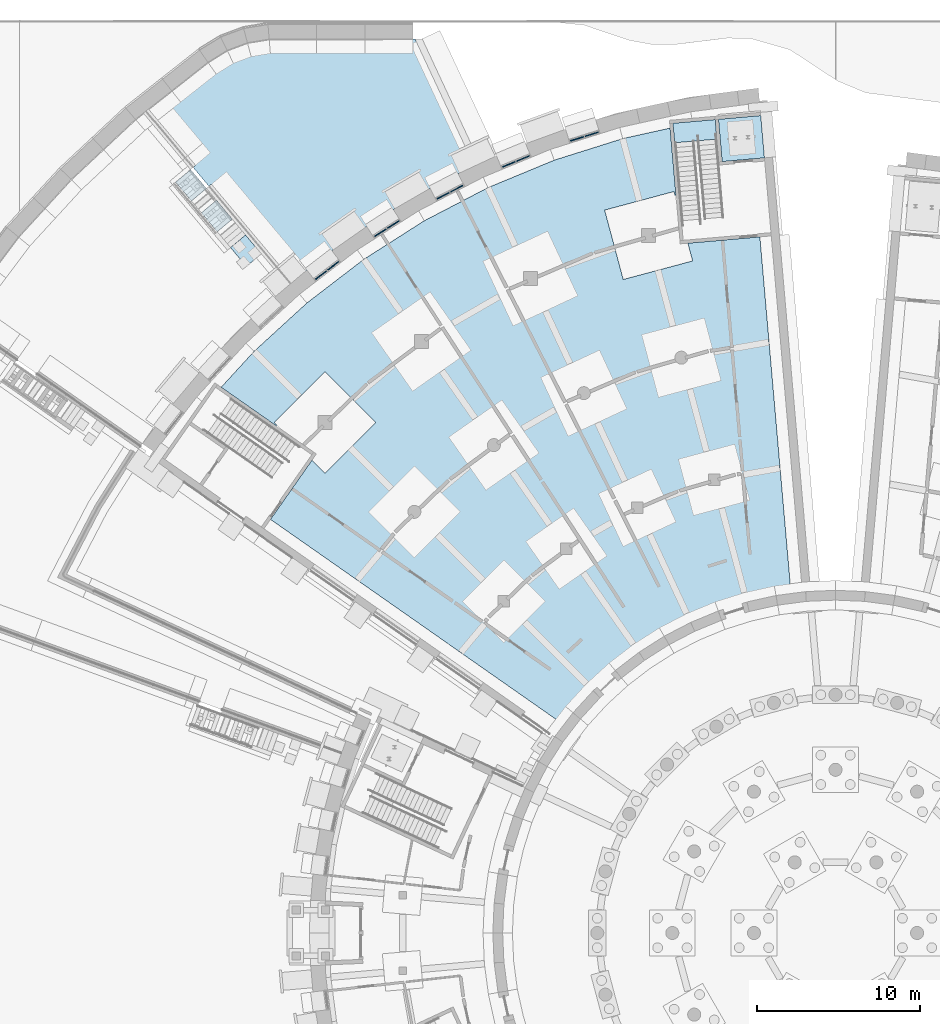
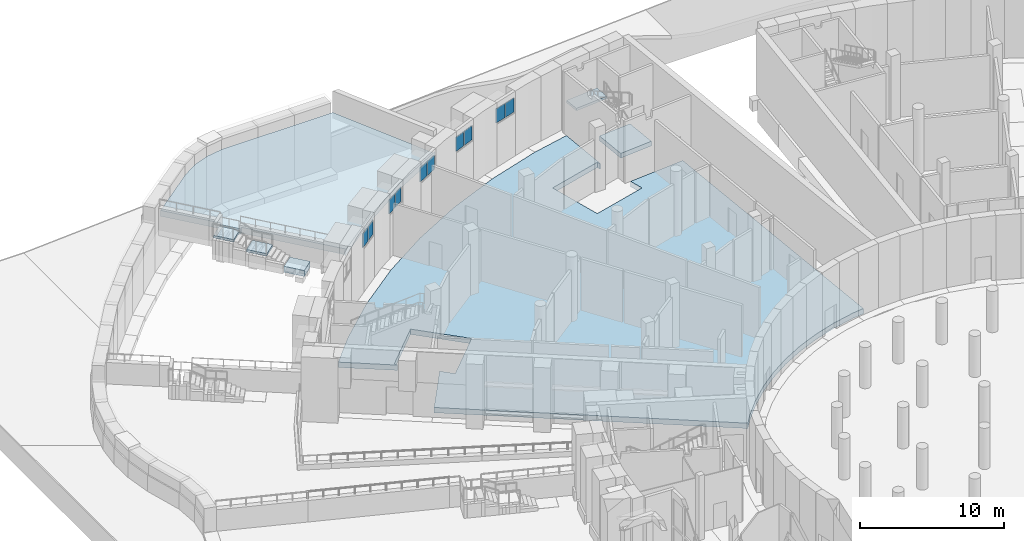
# One storey, part 34 of 65: 10 plates, 7 slabs, 7 elements without a shape of their own.
"""IFC4 building model written with IfcOpenShell, lengths in metres."""

from ifc_helpers import new_model, si_unit, direction, frame, origin, origin_2d, place, context, subcontext, project, spatial, polyline, rectangle, outline, extrude, material, layer, layer_set, type_object, element, aggregate, save


model = new_model("IFC4")

# Units and contexts
model_context = context("Model", 3, precision=1e-05, world=origin(), true_north=direction((0.0, 1.0)))
body_context = subcontext(model_context, "Body", "Model", "MODEL_VIEW")
ifc_project = project(units=[si_unit("LENGTHUNIT", "METRE"), si_unit("AREAUNIT", "SQUARE_METRE"), si_unit("VOLUMEUNIT", "CUBIC_METRE"), si_unit("PLANEANGLEUNIT", "RADIAN"), si_unit("MASSUNIT", "GRAM", prefix="KILO")], contexts=[model_context])

# Site, building, storey
site_placement = place(None, origin())
site = spatial("IfcSite", under=ifc_project, at=site_placement, CompositionType="ELEMENT")
building_placement = place(site_placement, origin())
building = spatial("IfcBuilding", under=site, at=building_placement, Name="Volute Hill Aquarium", CompositionType="ELEMENT")
storey_placement = place(building_placement, frame((0.0, 0.0, -5.5)))
storey = spatial("IfcBuildingStorey", under=building, at=storey_placement, Name="L00", CompositionType="ELEMENT", Elevation=-5.5)

# Slab
ifc_material_1 = material(Name="Concrete C30/37", Category="concrete")
ifc_layer_1 = layer(ifc_material_1, 0.449951171875)
ifc_layer_set_1 = layer_set([ifc_layer_1], Name="Base slab 450 C30/37")
slab_type_1 = type_object("IfcSlabType", Name="Base slab 450 C30/37", PredefinedType="BASESLAB", material=ifc_layer_set_1)
slab_1_placement = place(storey_placement, frame((0.0, 0.0, -0.449951171875)))
element("IfcSlab", 1, at=slab_1_placement, inside=storey, type_object=slab_type_1, Name="bs/S6/L00/1", PredefinedType="BASESLAB", context=body_context, shape_type="SweptSolid", body=[
    extrude(outline(polyline([(-34.225830078125, 31.114501953125), (-34.26220703125, 31.0712890625), (-37.649658203125, 33.443115234375), (-35.63818359375, 35.63818359375), (-32.396484375, 38.608642578125), (-28.908203125, 41.285400390625), (-25.199951171875, 43.647705078125), (-21.300048828125, 45.677978515625), (-17.23779296875, 47.360595703125), (-13.04443359375, 48.6826171875), (-10.1376953125, 49.3271484375), (-9.77734375, 45.2080078125), (-9.8330078125, 45.197998046875), (-9.897216796875, 45.4365234375), (-14.147216796875, 44.2978515625), (-13.00830078125, 40.0478515625), (-8.75830078125, 41.1865234375), (-9.049072265625, 42.272216796875), (-4.635498046875, 42.658203125), (-2.723388671875, 20.802490234375), (-3.646484375, 20.680908203125), (-5.435302734375, 20.284423828125), (-7.182373046875, 19.7333984375), (-8.875, 19.032470703125), (-10.5, 18.1865234375), (-12.045166015625, 17.2021484375), (-13.49853515625, 16.0869140625), (-14.84912109375, 14.84912109375), (-16.0869140625, 13.49853515625), (-16.65380859375, 12.759765625), (-34.62548828125, 25.34375), (-32.084228515625, 28.972900390625), (-31.28955078125, 28.17822265625), (-28.17822265625, 31.28955078125), (-31.28955078125, 34.40087890625), (-34.40087890625, 31.28955078125), (-34.225830078125, 31.114501953125)])), origin(), (0.0, 0.0, 1.0), 0.449951171875),
])

# Curtain wall, plates
ifc_material_2 = material(Name="Aluminium", Category="aluminium")
ifc_layer_2 = layer(ifc_material_2, 0.25)
ifc_layer_set_2 = layer_set([ifc_layer_2], Name="Curtain wall niche S6 module 967")
curtain_wall_type = type_object("IfcCurtainWallType", Name="Curtain wall niche S6 module 967", PredefinedType="NOTDEFINED", material=ifc_layer_set_2)
curtain_wall_1_placement = place(storey_placement, origin())
curtain_wall_1 = element("IfcCurtainWall", 2, at=curtain_wall_1_placement, inside=storey, type_object=curtain_wall_type, Name="Curtain wall CW S6 L00 3", PredefinedType="NOTDEFINED")
ifc_material_3 = material(Name="Aluminium", Category="aluminium")
ifc_layer_3 = layer(ifc_material_3, 0.06005859375)
ifc_layer_set_3 = layer_set([ifc_layer_3], Name="Curtain wall insulated spandrel panel 60")
plate_type = type_object("IfcPlateType", Name="Curtain wall insulated spandrel panel 60", PredefinedType="CURTAIN_PANEL", material=ifc_layer_set_3)
plate_1_placement = place(storey_placement, frame((-14.939697265625, 48.948974609375, 3.7001953125), z_axis=(0.0, 0.0, 1.0), x_axis=(-0.953716759337, -0.300706406582, 0.0)))
plate_1 = element("IfcPlate", 3, at=plate_1_placement, type_object=plate_type, Name="CW panel 1.1", PredefinedType="CURTAIN_PANEL", context=body_context, shape_type="SweptSolid", body=[
    extrude(rectangle(XDim=0.891845703125, YDim=0.06005859375, at=origin_2d()), origin(), (0.0, 0.0, 1.0), 1.199951171875),
])
plate_2_placement = place(storey_placement, frame((-15.838134765625, 48.665771484375, 3.7001953125), z_axis=(0.0, 0.0, 1.0), x_axis=(-0.953716759337, -0.300706406582, 0.0)))
plate_2 = element("IfcPlate", 4, at=plate_2_placement, type_object=plate_type, Name="CW panel 2.1", PredefinedType="CURTAIN_PANEL", context=body_context, shape_type="SweptSolid", body=[
    extrude(rectangle(XDim=0.891845703125, YDim=0.06005859375, at=origin_2d()), origin(), (0.0, 0.0, 1.0), 1.199951171875),
])
aggregate(curtain_wall_1, [plate_1, plate_2])

curtain_wall_2_placement = place(storey_placement, origin())
curtain_wall_2 = element("IfcCurtainWall", 5, at=curtain_wall_2_placement, inside=storey, type_object=curtain_wall_type, Name="Curtain wall CW S6 L00 4", PredefinedType="NOTDEFINED")
plate_3_placement = place(storey_placement, frame((-19.149169921875, 47.460693359375, 3.7001953125), z_axis=(0.0, 0.0, 1.0), x_axis=(-0.923881012069, -0.382679860378, 0.0)))
plate_3 = element("IfcPlate", 6, at=plate_3_placement, type_object=plate_type, Name="CW panel 1.1", PredefinedType="CURTAIN_PANEL", context=body_context, shape_type="SweptSolid", body=[
    extrude(rectangle(XDim=0.891845703125, YDim=0.06005859375, at=origin_2d()), origin(), (0.0, 0.0, 1.0), 1.199951171875),
])
plate_4_placement = place(storey_placement, frame((-20.019287109375, 47.10009765625, 3.7001953125), z_axis=(0.0, 0.0, 1.0), x_axis=(-0.923881012069, -0.382679860378, 0.0)))
plate_4 = element("IfcPlate", 7, at=plate_4_placement, type_object=plate_type, Name="CW panel 2.1", PredefinedType="CURTAIN_PANEL", context=body_context, shape_type="SweptSolid", body=[
    extrude(rectangle(XDim=0.891845703125, YDim=0.06005859375, at=origin_2d()), origin(), (0.0, 0.0, 1.0), 1.199951171875),
])
aggregate(curtain_wall_2, [plate_3, plate_4])

curtain_wall_3_placement = place(storey_placement, origin())
curtain_wall_3 = element("IfcCurtainWall", 8, at=curtain_wall_3_placement, inside=storey, type_object=curtain_wall_type, Name="Curtain wall CW S6 L00 5", PredefinedType="NOTDEFINED")
plate_5_placement = place(storey_placement, frame((-23.212646484375, 45.611083984375, 3.7001953125), z_axis=(0.0, 0.0, 1.0), x_axis=(-0.88700512397, -0.461759580356, 0.0)))
plate_5 = element("IfcPlate", 9, at=plate_5_placement, type_object=plate_type, Name="CW panel 1.1", PredefinedType="CURTAIN_PANEL", context=body_context, shape_type="SweptSolid", body=[
    extrude(rectangle(XDim=0.891845703125, YDim=0.06005859375, at=origin_2d()), origin(), (0.0, 0.0, 1.0), 1.199951171875),
])
plate_6_placement = place(storey_placement, frame((-24.048095703125, 45.17626953125, 3.7001953125), z_axis=(0.0, 0.0, 1.0), x_axis=(-0.88700512397, -0.461759580356, 0.0)))
plate_6 = element("IfcPlate", 10, at=plate_6_placement, type_object=plate_type, Name="CW panel 2.1", PredefinedType="CURTAIN_PANEL", context=body_context, shape_type="SweptSolid", body=[
    extrude(rectangle(XDim=0.891845703125, YDim=0.06005859375, at=origin_2d()), origin(), (0.0, 0.0, 1.0), 1.199951171875),
])
aggregate(curtain_wall_3, [plate_5, plate_6])

curtain_wall_4_placement = place(storey_placement, origin())
curtain_wall_4 = element("IfcCurtainWall", 11, at=curtain_wall_4_placement, inside=storey, type_object=curtain_wall_type, Name="Curtain wall CW S6 L00 6", PredefinedType="NOTDEFINED")
plate_7_placement = place(storey_placement, frame((-27.099609375, 43.414306640625, 3.7001953125), z_axis=(0.0, 0.0, 1.0), x_axis=(-0.843394579142, -0.537294689973, 0.0)))
plate_7 = element("IfcPlate", 12, at=plate_7_placement, type_object=plate_type, Name="CW panel 1.1", PredefinedType="CURTAIN_PANEL", context=body_context, shape_type="SweptSolid", body=[
    extrude(rectangle(XDim=0.891845703125, YDim=0.06005859375, at=origin_2d()), origin(), (0.0, 0.0, 1.0), 1.199951171875),
])
plate_8_placement = place(storey_placement, frame((-27.89404296875, 42.908203125, 3.7001953125), z_axis=(0.0, 0.0, 1.0), x_axis=(-0.843394579142, -0.537294689973, 0.0)))
plate_8 = element("IfcPlate", 13, at=plate_8_placement, type_object=plate_type, Name="CW panel 2.1", PredefinedType="CURTAIN_PANEL", context=body_context, shape_type="SweptSolid", body=[
    extrude(rectangle(XDim=0.891845703125, YDim=0.06005859375, at=origin_2d()), origin(), (0.0, 0.0, 1.0), 1.199951171875),
])
aggregate(curtain_wall_4, [plate_7, plate_8])

curtain_wall_5_placement = place(storey_placement, origin())
curtain_wall_5 = element("IfcCurtainWall", 14, at=curtain_wall_5_placement, inside=storey, type_object=curtain_wall_type, Name="Curtain wall CW S6 L00 7", PredefinedType="NOTDEFINED")
plate_9_placement = place(storey_placement, frame((-30.7802734375, 40.88720703125, 3.7001953125), z_axis=(0.0, 0.0, 1.0), x_axis=(-0.793347775493, -0.608768681127, 0.0)))
plate_9 = element("IfcPlate", 15, at=plate_9_placement, type_object=plate_type, Name="CW panel 1.1", PredefinedType="CURTAIN_PANEL", context=body_context, shape_type="SweptSolid", body=[
    extrude(rectangle(XDim=0.891845703125, YDim=0.06005859375, at=origin_2d()), origin(), (0.0, 0.0, 1.0), 1.199951171875),
])
plate_10_placement = place(storey_placement, frame((-31.527587890625, 40.31396484375, 3.7001953125), z_axis=(0.0, 0.0, 1.0), x_axis=(-0.793347775493, -0.608768681127, 0.0)))
plate_10 = element("IfcPlate", 16, at=plate_10_placement, type_object=plate_type, Name="CW panel 2.1", PredefinedType="CURTAIN_PANEL", context=body_context, shape_type="SweptSolid", body=[
    extrude(rectangle(XDim=0.891845703125, YDim=0.06005859375, at=origin_2d()), origin(), (0.0, 0.0, 1.0), 1.199951171875),
])
aggregate(curtain_wall_5, [plate_9, plate_10])

# Slab
ifc_material_4 = material(Name="Concrete C30/37", Category="concrete")
ifc_layer_4 = layer(ifc_material_4, 0.39990234375)
ifc_layer_set_4 = layer_set([ifc_layer_4], Name="Lift pit slab 400 C30/37")
slab_type_2 = type_object("IfcSlabType", Name="Lift pit slab 400 C30/37", PredefinedType="BASESLAB", material=ifc_layer_set_4)
slab_2_placement = place(storey_placement, frame((0.0, 0.0, -1.800048828125)))
element("IfcSlab", 17, at=slab_2_placement, inside=storey, type_object=slab_type_2, Name="lp/S6-A/L00", PredefinedType="BASESLAB", context=body_context, shape_type="SweptSolid", body=[
    extrude(outline(polyline([(-4.356689453125, 47.501220703125), (-4.583251953125, 50.09130859375), (-7.17333984375, 49.864501953125), (-6.94677734375, 47.2744140625), (-4.356689453125, 47.501220703125)])), origin(), (0.0, 0.0, 1.0), 0.400146484375),
])

# Stair, slabs
ifc_material_5 = material(Name="Concrete C30/37", Category="concrete")
stair_type_1 = type_object("IfcStairType", Name="Outdoor stair", PredefinedType="STRAIGHT_RUN_STAIR", material=ifc_material_5)
stair_1_placement = place(storey_placement, origin())
stair_1 = element("IfcStair", 18, at=stair_1_placement, inside=storey, type_object=stair_type_1, Name="Outdoor stair 130", PredefinedType="STRAIGHT_RUN_STAIR")
ifc_material_6 = material(Name="Concrete C30/37", Category="concrete")
ifc_layer_5 = layer(ifc_material_6, 0.5)
ifc_layer_set_5 = layer_set([ifc_layer_5], Name="Outdoor stair foot slab C30/37 500")
slab_type_3 = type_object("IfcSlabType", Name="Outdoor stair foot slab C30/37 500", PredefinedType="LANDING", material=ifc_layer_set_5)
slab_3_placement = place(storey_placement, frame((0.0, 0.0, 2.25)))
slab_3 = element("IfcSlab", 19, at=slab_3_placement, type_object=slab_type_3, Name="Stair 130 foot slab", PredefinedType="LANDING", context=body_context, shape_type="SweptSolid", body=[
    extrude(outline(polyline([(-35.18505859375, 41.620849609375), (-36.15576171875, 42.777587890625), (-37.074951171875, 42.006103515625), (-36.1044921875, 40.849609375), (-35.18505859375, 41.620849609375)])), origin(), (0.0, 0.0, 1.0), 0.5),
])
ifc_material_7 = material(Name="Concrete C30/37", Category="concrete")
ifc_layer_6 = layer(ifc_material_7, 0.199951171875)
ifc_layer_set_6 = layer_set([ifc_layer_6], Name="Outdoor stair landing C30/37 200")
slab_type_4 = type_object("IfcSlabType", Name="Outdoor stair landing C30/37 200", PredefinedType="LANDING", material=ifc_layer_set_6)
slab_4_placement = place(storey_placement, frame((0.0, 0.0, 3.31396484375)))
slab_4 = element("IfcSlab", 20, at=slab_4_placement, type_object=slab_type_4, Name="ST landing 1", PredefinedType="LANDING", context=body_context, shape_type="SweptSolid", body=[
    extrude(outline(polyline([(-36.9658203125, 43.742919921875), (-37.942626953125, 44.9072265625), (-38.86181640625, 44.135986328125), (-37.885009765625, 42.971435546875), (-36.9658203125, 43.742919921875)])), origin(), (0.0, 0.0, 1.0), 0.199951171875),
])
slab_5_placement = place(storey_placement, frame((0.0, 0.0, 3.925048828125)))
slab_5 = element("IfcSlab", 21, at=slab_5_placement, type_object=slab_type_4, Name="ST landing 2", PredefinedType="LANDING", context=body_context, shape_type="SweptSolid", body=[
    extrude(outline(polyline([(-38.546875, 45.627197265625), (-39.517578125, 46.783935546875), (-40.436767578125, 46.0126953125), (-39.46630859375, 44.85595703125), (-38.546875, 45.627197265625)])), origin(), (0.0, 0.0, 1.0), 0.199951171875),
])
aggregate(stair_1, [slab_3, slab_4, slab_5])

# Slab
ifc_material_8 = material(Name="Concrete C30/37", Category="concrete")
ifc_layer_7 = layer(ifc_material_8, 0.5)
ifc_layer_set_7 = layer_set([ifc_layer_7], Name="Site paving build-up C30/37 500")
slab_type_5 = type_object("IfcSlabType", Name="Site paving build-up C30/37 500", PredefinedType="BASESLAB", material=ifc_layer_set_7)
slab_6_placement = place(storey_placement, frame((0.0, 0.0, 3.625)))
element("IfcSlab", 22, at=slab_6_placement, inside=storey, type_object=slab_type_5, Name="pv/FA3/L00/0", PredefinedType="BASESLAB", context=body_context, shape_type="SweptSolid", body=[
    extrude(outline(polyline([(-37.282470703125, 54.08447265625), (-38.456298828125, 53.354736328125), (-42.100830078125, 50.48486328125), (-39.211181640625, 47.041259765625), (-39.3642578125, 46.91259765625), (-38.400146484375, 45.763427734375), (-38.246826171875, 45.89208984375), (-33.271728515625, 39.962890625), (-33.425048828125, 39.834228515625), (-29.825927734375, 42.595947265625), (-26.0, 45.033203125), (-21.9765625, 47.127685546875), (-22.157470703125, 47.04345703125), (-25.765869140625, 54.781494140625), (-34.705322265625, 54.77294921875), (-36.037841796875, 54.552978515625), (-37.282470703125, 54.08447265625)])), origin(), (0.0, 0.0, 1.0), 0.5),
])

# Stair, slab
ifc_material_9 = material(Name="Concrete C35/45", Category="concrete")
stair_type_2 = type_object("IfcStairType", Name="Stair C35/45", PredefinedType="HALF_TURN_STAIR", material=ifc_material_9)
stair_2_placement = place(storey_placement, origin())
stair_2 = element("IfcStair", 23, at=stair_2_placement, inside=storey, type_object=stair_type_2, Name="ST/S6-A/L00", PredefinedType="HALF_TURN_STAIR")
ifc_material_10 = material(Name="Concrete C35/45", Category="concrete")
ifc_layer_8 = layer(ifc_material_10, 0.199951171875)
ifc_layer_set_8 = layer_set([ifc_layer_8], Name="Stair landing C35/45 200")
slab_type_6 = type_object("IfcSlabType", Name="Stair landing C35/45 200", PredefinedType="LANDING", material=ifc_layer_set_8)
slab_7_placement = place(storey_placement, frame((0.0, 0.0, 2.550048828125)))
slab_7 = element("IfcSlab", 24, at=slab_7_placement, type_object=slab_type_6, Name="ST-S6-A-00 landing 1", PredefinedType="LANDING", context=body_context, shape_type="SweptSolid", body=[
    extrude(outline(polyline([(-7.267822265625, 48.649658203125), (-7.37255859375, 49.84716796875), (-9.962646484375, 49.62060546875), (-9.85791015625, 48.423095703125), (-7.267822265625, 48.649658203125)])), origin(), (0.0, 0.0, 1.0), 0.199951171875),
])
aggregate(stair_2, [slab_7])

save(model, "model.ifc")
